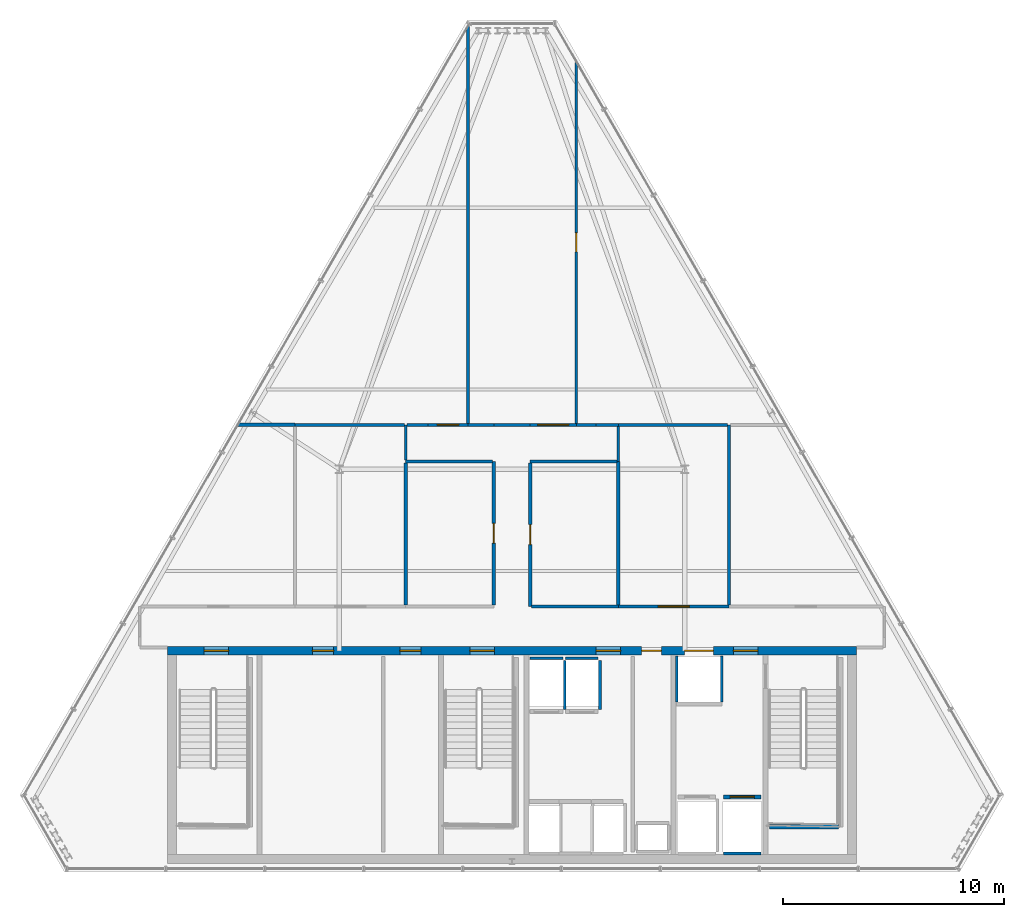
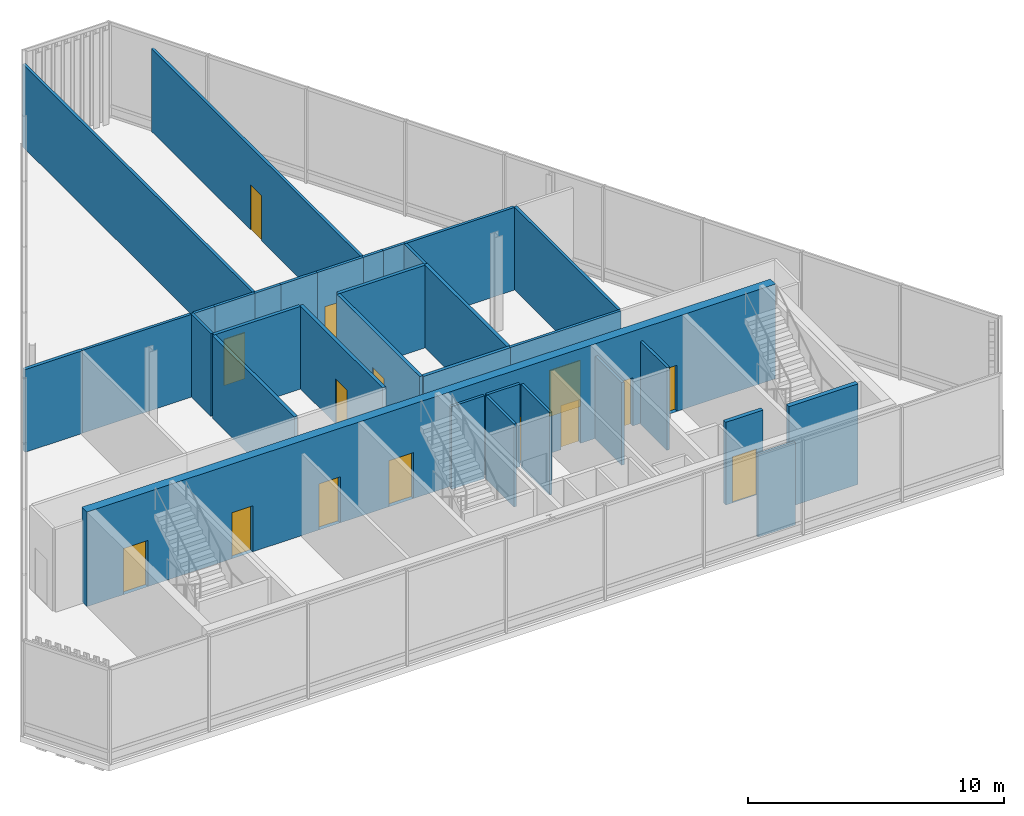
# One storey, part 21 of 25: 33 walls, 15 doors, 15 openings.
"""IFC4 building model written with IfcOpenShell, lengths in metres."""

from ifc_helpers import new_model, si_unit, direction, frame, frame_2d, origin, place, context, subcontext, project, spatial, rectangle, extrude, material, layer, layer_set, type_object, element, fill, save


model = new_model("IFC4")

# Units and contexts
model_context = context("Model", 3, precision=1e-05, world=origin(), true_north=direction((0.0, 1.0)))
body_context = subcontext(model_context, "Body", "Model", "MODEL_VIEW")
ifc_project = project(units=[si_unit("LENGTHUNIT", "METRE"), si_unit("AREAUNIT", "SQUARE_METRE"), si_unit("VOLUMEUNIT", "CUBIC_METRE"), si_unit("PLANEANGLEUNIT", "RADIAN"), si_unit("MASSUNIT", "GRAM", prefix="KILO")], contexts=[model_context])

# Site, building, storey
site_placement = place(None, origin())
site = spatial("IfcSite", under=ifc_project, at=site_placement, CompositionType="ELEMENT")
building_placement = place(site_placement, origin())
building = spatial("IfcBuilding", under=site, at=building_placement, Name="Ndaravel Arena Tower", CompositionType="ELEMENT")
storey_placement = place(building_placement, frame((0.0, 0.0, 298.5)))
storey = spatial("IfcBuildingStorey", under=building, at=storey_placement, Name="L73", CompositionType="ELEMENT", Elevation=298.5)

# Wall, openings, doors
ifc_material_1 = material(Name="Concrete C50/60", Category="concrete")
ifc_layer_1 = layer(ifc_material_1, 0.39990234375)
ifc_layer_set_1 = layer_set([ifc_layer_1], Name="Concrete C50/60")
wall_type_1 = type_object("IfcWallType", Name="WALL-CORE-400", PredefinedType="SOLIDWALL", material=ifc_layer_set_1)
wall_1_placement = place(storey_placement, frame((26.449951171875, 15.0, 0.0), z_axis=(0.0, 0.0, 1.0), x_axis=(1.0, 0.0, 0.0)))
wall_1 = element("IfcWall", 1, at=wall_1_placement, inside=storey, type_object=wall_type_1, Name="L73 Core North Shear Wall", PredefinedType="SOLIDWALL", context=body_context, shape_type="SweptSolid", body=[
    extrude(rectangle(XDim=31.10009765625, YDim=0.39990234375, at=frame_2d((15.550048828125, 0.0))), origin(), (0.0, 0.0, 1.0), 4.52001953125),
])
opening_1_placement = place(wall_1_placement, frame((1.64990234375, 0.0, 0.0)))
opening_1 = element("IfcOpeningElement", 2, at=opening_1_placement, cuts=wall_1, Name="Opening FD-01", PredefinedType="OPENING", context=body_context, shape_type="SweptSolid", body=[
    extrude(rectangle(XDim=1.10009765625, YDim=2.199951171875, at=frame_2d((0.550048828125, 1.10009765625))), frame((0.0, 0.199951171875, 0.0), z_axis=(0.0, -1.0, 0.0), x_axis=(1.0, 0.0, 0.0)), (0.0, 0.0, 1.0), 0.39990234375),
])
opening_2_placement = place(wall_1_placement, frame((13.64990234375, 0.0, 0.0)))
opening_2 = element("IfcOpeningElement", 3, at=opening_2_placement, cuts=wall_1, Name="Opening FD-01", PredefinedType="OPENING", context=body_context, shape_type="SweptSolid", body=[
    extrude(rectangle(XDim=1.10009765625, YDim=2.199951171875, at=frame_2d((0.550048828125, 1.10009765625))), frame((0.0, 0.199951171875, 0.0), z_axis=(0.0, -1.0, 0.0), x_axis=(1.0, 0.0, 0.0)), (0.0, 0.0, 1.0), 0.39990234375),
])
opening_3_placement = place(wall_1_placement, frame((25.550048828125, 0.0, 0.0)))
opening_3 = element("IfcOpeningElement", 4, at=opening_3_placement, cuts=wall_1, Name="Opening FD-01", PredefinedType="OPENING", context=body_context, shape_type="SweptSolid", body=[
    extrude(rectangle(XDim=1.10009765625, YDim=2.199951171875, at=frame_2d((0.550048828125, 1.10009765625))), frame((0.0, 0.199951171875, 0.0), z_axis=(0.0, -1.0, 0.0), x_axis=(1.0, 0.0, 0.0)), (0.0, 0.0, 1.0), 0.39990234375),
])
opening_4_placement = place(wall_1_placement, frame((19.35009765625, 0.0, 0.0)))
opening_4 = element("IfcOpeningElement", 5, at=opening_4_placement, cuts=wall_1, Name="Opening FD-01", PredefinedType="OPENING", context=body_context, shape_type="SweptSolid", body=[
    extrude(rectangle(XDim=1.10009765625, YDim=2.199951171875, at=frame_2d((0.550048828125, 1.10009765625))), frame((0.0, 0.199951171875, 0.0), z_axis=(0.0, -1.0, 0.0), x_axis=(1.0, 0.0, 0.0)), (0.0, 0.0, 1.0), 0.39990234375),
])
opening_5_placement = place(wall_1_placement, frame((21.39990234375, 0.0, 0.0)))
opening_5 = element("IfcOpeningElement", 6, at=opening_5_placement, cuts=wall_1, Name="Opening RD-01", PredefinedType="OPENING", context=body_context, shape_type="SweptSolid", body=[
    extrude(rectangle(XDim=0.89990234375, YDim=2.10009765625, at=frame_2d((0.449951171875, 1.050048828125))), frame((0.0, 0.199951171875, 0.0), z_axis=(0.0, -1.0, 0.0), x_axis=(1.0, 0.0, 0.0)), (0.0, 0.0, 1.0), 0.39990234375),
])
opening_6_placement = place(wall_1_placement, frame((6.5400390625, 0.0, 0.0)))
opening_6 = element("IfcOpeningElement", 7, at=opening_6_placement, cuts=wall_1, Name="Opening FD-03", PredefinedType="OPENING", context=body_context, shape_type="SweptSolid", body=[
    extrude(rectangle(XDim=0.949951171875, YDim=2.199951171875, at=frame_2d((0.47509765625, 1.10009765625))), frame((0.0, 0.199951171875, 0.0), z_axis=(0.0, -1.0, 0.0), x_axis=(1.0, 0.0, 0.0)), (0.0, 0.0, 1.0), 0.39990234375),
])
opening_7_placement = place(wall_1_placement, frame((10.489990234375, 0.0, 0.0)))
opening_7 = element("IfcOpeningElement", 8, at=opening_7_placement, cuts=wall_1, Name="Opening FD-03", PredefinedType="OPENING", context=body_context, shape_type="SweptSolid", body=[
    extrude(rectangle(XDim=0.949951171875, YDim=2.199951171875, at=frame_2d((0.47509765625, 1.10009765625))), frame((0.0, 0.199951171875, 0.0), z_axis=(0.0, -1.0, 0.0), x_axis=(1.0, 0.0, 0.0)), (0.0, 0.0, 1.0), 0.39990234375),
])
opening_8_placement = place(wall_1_placement, frame((23.35009765625, 0.0, 0.0)))
opening_8 = element("IfcOpeningElement", 9, at=opening_8_placement, cuts=wall_1, Name="Opening LD-02", PredefinedType="OPENING", context=body_context, shape_type="SweptSolid", body=[
    extrude(rectangle(XDim=1.300048828125, YDim=2.300048828125, at=frame_2d((0.64990234375, 1.14990234375))), frame((0.0, 0.199951171875, 0.0), z_axis=(0.0, -1.0, 0.0), x_axis=(1.0, 0.0, 0.0)), (0.0, 0.0, 1.0), 0.39990234375),
])
ifc_material_2 = material(Name="Steel S355", Category="steel")
door_type_1 = type_object("IfcDoorType", Name="DT-01-STAIR-1100", OperationType="SINGLE_SWING_LEFT", PredefinedType="DOOR", material=ifc_material_2)
door_1_placement = place(opening_1_placement, origin())
door_1 = element("IfcDoor", 10, at=door_1_placement, inside=storey, type_object=door_type_1, Name="L73 Exit Stair ST-1 Door", OperationType="SINGLE_SWING_RIGHT", OverallHeight=2.199951171875, OverallWidth=1.10009765625, PredefinedType="DOOR", context=body_context, shape_type="SweptSolid", body=[
    extrude(rectangle(XDim=1.10009765625, YDim=2.199951171875, at=frame_2d((0.550048828125, 1.10009765625))), frame((0.0, 0.02490234375, 0.0), z_axis=(0.0, -1.0, 0.0), x_axis=(1.0, 0.0, 0.0)), (0.0, 0.0, 1.0), 0.050048828125),
])
fill(opening_1, door_1)
door_2_placement = place(opening_2_placement, origin())
door_2 = element("IfcDoor", 11, at=door_2_placement, inside=storey, type_object=door_type_1, Name="L73 Exit Stair ST-2 Door", OperationType="SINGLE_SWING_LEFT", OverallHeight=2.199951171875, OverallWidth=1.10009765625, PredefinedType="DOOR", context=body_context, shape_type="SweptSolid", body=[
    extrude(rectangle(XDim=1.10009765625, YDim=2.199951171875, at=frame_2d((0.550048828125, 1.10009765625))), frame((0.0, 0.02490234375, 0.0), z_axis=(0.0, -1.0, 0.0), x_axis=(1.0, 0.0, 0.0)), (0.0, 0.0, 1.0), 0.050048828125),
])
fill(opening_2, door_2)
door_3_placement = place(opening_3_placement, origin())
door_3 = element("IfcDoor", 12, at=door_3_placement, inside=storey, type_object=door_type_1, Name="L73 Firefighting Lift Lobby Door", OperationType="SINGLE_SWING_RIGHT", OverallHeight=2.199951171875, OverallWidth=1.10009765625, PredefinedType="DOOR", context=body_context, shape_type="SweptSolid", body=[
    extrude(rectangle(XDim=1.10009765625, YDim=2.199951171875, at=frame_2d((0.550048828125, 1.10009765625))), frame((0.0, 0.02490234375, 0.0), z_axis=(0.0, -1.0, 0.0), x_axis=(1.0, 0.0, 0.0)), (0.0, 0.0, 1.0), 0.050048828125),
])
fill(opening_3, door_3)
door_4_placement = place(opening_4_placement, origin())
door_4 = element("IfcDoor", 13, at=door_4_placement, inside=storey, type_object=door_type_1, Name="L73 Express Lift Lobby Entry Door", OperationType="SINGLE_SWING_LEFT", OverallHeight=2.199951171875, OverallWidth=1.10009765625, PredefinedType="DOOR", context=body_context, shape_type="SweptSolid", body=[
    extrude(rectangle(XDim=1.10009765625, YDim=2.199951171875, at=frame_2d((0.550048828125, 1.10009765625))), frame((0.0, 0.02490234375, 0.0), z_axis=(0.0, -1.0, 0.0), x_axis=(1.0, 0.0, 0.0)), (0.0, 0.0, 1.0), 0.050048828125),
])
fill(opening_4, door_4)
ifc_material_3 = material(Name="Steel S355", Category="steel")
door_type_2 = type_object("IfcDoorType", Name="DT-07-SVLIFT-1300", OperationType="DOUBLE_DOOR_SLIDING", PredefinedType="DOOR", material=ifc_material_3)
door_5_placement = place(opening_8_placement, origin())
door_5 = element("IfcDoor", 14, at=door_5_placement, inside=storey, type_object=door_type_2, Name="L73 Lift SVL-1 Sliding Landing Door", OperationType="DOUBLE_DOOR_SLIDING", OverallHeight=2.300048828125, OverallWidth=1.300048828125, PredefinedType="DOOR", context=body_context, shape_type="SweptSolid", body=[
    extrude(rectangle(XDim=1.300048828125, YDim=2.300048828125, at=frame_2d((0.64990234375, 1.14990234375))), frame((0.0, 0.02490234375, 0.0), z_axis=(0.0, -1.0, 0.0), x_axis=(1.0, 0.0, 0.0)), (0.0, 0.0, 1.0), 0.050048828125),
])
fill(opening_8, door_5)
ifc_material_4 = material(Name="Steel S355", Category="steel")
door_type_3 = type_object("IfcDoorType", Name="DT-08-RISER-900", OperationType="SINGLE_SWING_LEFT", PredefinedType="DOOR", material=ifc_material_4)
door_6_placement = place(opening_5_placement, origin())
door_6 = element("IfcDoor", 15, at=door_6_placement, inside=storey, type_object=door_type_3, Name="L73 Core Service Riser North Door", OperationType="SINGLE_SWING_LEFT", OverallHeight=2.10009765625, OverallWidth=0.89990234375, PredefinedType="DOOR", context=body_context, shape_type="SweptSolid", body=[
    extrude(rectangle(XDim=0.89990234375, YDim=2.10009765625, at=frame_2d((0.449951171875, 1.050048828125))), frame((0.0, 0.02490234375, 0.0), z_axis=(0.0, -1.0, 0.0), x_axis=(1.0, 0.0, 0.0)), (0.0, 0.0, 1.0), 0.050048828125),
])
fill(opening_5, door_6)
ifc_material_5 = material(Name="Steel S355", Category="steel")
door_type_4 = type_object("IfcDoorType", Name="DT-11-CORE-950", OperationType="SINGLE_SWING_LEFT", PredefinedType="DOOR", material=ifc_material_5)
door_7_placement = place(opening_6_placement, origin())
door_7 = element("IfcDoor", 16, at=door_7_placement, inside=storey, type_object=door_type_4, Name="L73 High-Zone Reclaimed Core Room 1 Door", OperationType="SINGLE_SWING_LEFT", OverallHeight=2.199951171875, OverallWidth=0.949951171875, PredefinedType="DOOR", context=body_context, shape_type="SweptSolid", body=[
    extrude(rectangle(XDim=0.949951171875, YDim=2.199951171875, at=frame_2d((0.47509765625, 1.10009765625))), frame((0.0, 0.02490234375, 0.0), z_axis=(0.0, -1.0, 0.0), x_axis=(1.0, 0.0, 0.0)), (0.0, 0.0, 1.0), 0.050048828125),
])
fill(opening_6, door_7)
door_8_placement = place(opening_7_placement, origin())
door_8 = element("IfcDoor", 17, at=door_8_placement, inside=storey, type_object=door_type_4, Name="L73 High-Zone Reclaimed Core Room 2 Door", OperationType="SINGLE_SWING_RIGHT", OverallHeight=2.199951171875, OverallWidth=0.949951171875, PredefinedType="DOOR", context=body_context, shape_type="SweptSolid", body=[
    extrude(rectangle(XDim=0.949951171875, YDim=2.199951171875, at=frame_2d((0.47509765625, 1.10009765625))), frame((0.0, 0.02490234375, 0.0), z_axis=(0.0, -1.0, 0.0), x_axis=(1.0, 0.0, 0.0)), (0.0, 0.0, 1.0), 0.050048828125),
])
fill(opening_7, door_8)

# Walls
ifc_material_6 = material(Name="Gypsum", Category="gypsum")
ifc_layer_2 = layer(ifc_material_6, 0.125)
ifc_layer_set_2 = layer_set([ifc_layer_2], Name="Gypsum")
wall_type_2 = type_object("IfcWallType", Name="WALL-PART-125", PredefinedType="PARTITIONING", material=ifc_layer_set_2)
wall_2_placement = place(storey_placement, frame((37.199951171875, 23.614990234375, 0.0), z_axis=(0.0, 0.0, 1.0), x_axis=(0.0, 1.0, 0.0)))
element("IfcWall", 18, at=wall_2_placement, inside=storey, type_object=wall_type_2, Name="L73 Interior Partition 010", PredefinedType="PARTITIONING", context=body_context, shape_type="SweptSolid", body=[
    extrude(rectangle(XDim=1.5849609375, YDim=0.125, at=frame_2d((0.79248046875, 0.0))), origin(), (0.0, 0.0, 1.0), 3.950439453125),
])
wall_3_placement = place(storey_placement, frame((37.264892578125, 25.199951171875, 0.0), z_axis=(0.0, 0.0, 1.0), x_axis=(1.0, 0.0, 0.0)))
element("IfcWall", 19, at=wall_3_placement, inside=storey, type_object=wall_type_2, Name="L73 Interior Partition 011", PredefinedType="PARTITIONING", context=body_context, shape_type="SweptSolid", body=[
    extrude(rectangle(XDim=0.93505859375, YDim=0.125, at=frame_2d((0.467529296875, 0.0))), origin(), (0.0, 0.0, 1.0), 3.950439453125),
])

# Wall, opening, door
wall_4_placement = place(storey_placement, frame((38.199951171875, 25.199951171875, 0.0), z_axis=(0.0, 0.0, 1.0), x_axis=(1.0, 0.0, 0.0)))
wall_4 = element("IfcWall", 20, at=wall_4_placement, inside=storey, type_object=wall_type_2, Name="L73 Interior Partition 012", PredefinedType="PARTITIONING", context=body_context, shape_type="SweptSolid", body=[
    extrude(rectangle(XDim=1.818603515625, YDim=0.125, at=frame_2d((0.9091796875, 0.0))), origin(), (0.0, 0.0, 1.0), 3.950439453125),
])
opening_9_placement = place(wall_4_placement, frame((0.434326171875, 0.0, 0.0)))
opening_9 = element("IfcOpeningElement", 21, at=opening_9_placement, cuts=wall_4, Name="Opening ID-01", PredefinedType="OPENING", context=body_context, shape_type="SweptSolid", body=[
    extrude(rectangle(XDim=0.949951171875, YDim=2.199951171875, at=frame_2d((0.47509765625, 1.10009765625))), frame((0.0, 0.0625, 0.0), z_axis=(0.0, -1.0, 0.0), x_axis=(1.0, 0.0, 0.0)), (0.0, 0.0, 1.0), 0.125),
])
ifc_material_7 = material(Name="Timber", Category="wood")
door_type_5 = type_object("IfcDoorType", Name="DT-03-OFFICE-950", OperationType="SINGLE_SWING_LEFT", PredefinedType="DOOR", material=ifc_material_7)
door_9_placement = place(opening_9_placement, origin())
door_9 = element("IfcDoor", 22, at=door_9_placement, inside=storey, type_object=door_type_5, Name="L73 Visitor First Aid Clinic 3 Door", OperationType="SINGLE_SWING_LEFT", OverallHeight=2.199951171875, OverallWidth=0.949951171875, PredefinedType="DOOR", context=body_context, shape_type="SweptSolid", body=[
    extrude(rectangle(XDim=0.949951171875, YDim=2.199951171875, at=frame_2d((0.47509765625, 1.10009765625))), frame((0.0, 0.02490234375, 0.0), z_axis=(0.0, -1.0, 0.0), x_axis=(1.0, 0.0, 0.0)), (0.0, 0.0, 1.0), 0.050048828125),
])
fill(opening_9, door_9)

# Walls
wall_5_placement = place(storey_placement, frame((40.0185546875, 25.199951171875, 0.0), z_axis=(0.0, 0.0, 1.0), x_axis=(1.0, 0.0, 0.0)))
element("IfcWall", 23, at=wall_5_placement, inside=storey, type_object=wall_type_2, Name="L73 Interior Partition 013", PredefinedType="PARTITIONING", context=body_context, shape_type="SweptSolid", body=[
    extrude(rectangle(XDim=1.161376953125, YDim=0.125, at=frame_2d((0.58056640625, 0.0))), origin(), (0.0, 0.0, 1.0), 3.950439453125),
])
wall_6_placement = place(storey_placement, frame((41.179931640625, 25.199951171875, 0.0), z_axis=(0.0, 0.0, 1.0), x_axis=(1.0, 0.0, 0.0)))
element("IfcWall", 24, at=wall_6_placement, inside=storey, type_object=wall_type_2, Name="L73 Interior Partition 014", PredefinedType="PARTITIONING", context=body_context, shape_type="SweptSolid", body=[
    extrude(rectangle(XDim=1.64013671875, YDim=0.125, at=frame_2d((0.820068359375, 0.0))), origin(), (0.0, 0.0, 1.0), 3.950439453125),
])

# Wall, opening, door
wall_7_placement = place(storey_placement, frame((42.820068359375, 25.199951171875, 0.0), z_axis=(0.0, 0.0, 1.0), x_axis=(1.0, 0.0, 0.0)))
wall_7 = element("IfcWall", 25, at=wall_7_placement, inside=storey, type_object=wall_type_2, Name="L73 Interior Partition 015", PredefinedType="PARTITIONING", context=body_context, shape_type="SweptSolid", body=[
    extrude(rectangle(XDim=2.082763671875, YDim=0.125, at=frame_2d((1.04150390625, 0.0))), origin(), (0.0, 0.0, 1.0), 3.950439453125),
])
opening_10_placement = place(wall_7_placement, frame((0.341552734375, 0.0, 0.0)))
opening_10 = element("IfcOpeningElement", 26, at=opening_10_placement, cuts=wall_7, Name="Opening ID-02", PredefinedType="OPENING", context=body_context, shape_type="SweptSolid", body=[
    extrude(rectangle(XDim=1.39990234375, YDim=2.199951171875, at=frame_2d((0.699951171875, 1.10009765625))), frame((0.0, 0.0625, 0.0), z_axis=(0.0, -1.0, 0.0), x_axis=(1.0, 0.0, 0.0)), (0.0, 0.0, 1.0), 0.125),
])
ifc_material_8 = material(Name="Timber", Category="wood")
door_type_6 = type_object("IfcDoorType", Name="DT-04-SUITE-1400", OperationType="DOUBLE_DOOR_SINGLE_SWING", PredefinedType="DOOR", material=ifc_material_8)
door_10_placement = place(opening_10_placement, origin())
door_10 = element("IfcDoor", 27, at=door_10_placement, inside=storey, type_object=door_type_6, Name="L73 Public Sky Observation Gallery 4 Door", OperationType="SINGLE_SWING_RIGHT", OverallHeight=2.199951171875, OverallWidth=1.39990234375, PredefinedType="DOOR", context=body_context, shape_type="SweptSolid", body=[
    extrude(rectangle(XDim=1.39990234375, YDim=2.199951171875, at=frame_2d((0.699951171875, 1.10009765625))), frame((0.0, 0.02490234375, 0.0), z_axis=(0.0, -1.0, 0.0), x_axis=(1.0, 0.0, 0.0)), (0.0, 0.0, 1.0), 0.050048828125),
])
fill(opening_10, door_10)

# Walls
wall_8_placement = place(storey_placement, frame((44.90283203125, 25.199951171875, 0.0), z_axis=(0.0, 0.0, 1.0), x_axis=(1.0, 0.0, 0.0)))
element("IfcWall", 28, at=wall_8_placement, inside=storey, type_object=wall_type_2, Name="L73 Interior Partition 016", PredefinedType="PARTITIONING", context=body_context, shape_type="SweptSolid", body=[
    extrude(rectangle(XDim=0.897216796875, YDim=0.125, at=frame_2d((0.44873046875, 0.0))), origin(), (0.0, 0.0, 1.0), 3.950439453125),
])
wall_9_placement = place(storey_placement, frame((45.800048828125, 25.199951171875, 0.0), z_axis=(0.0, 0.0, 1.0), x_axis=(1.0, 0.0, 0.0)))
element("IfcWall", 29, at=wall_9_placement, inside=storey, type_object=wall_type_2, Name="L73 Interior Partition 017", PredefinedType="PARTITIONING", context=body_context, shape_type="SweptSolid", body=[
    extrude(rectangle(XDim=1.0, YDim=0.125, at=frame_2d((0.5, 0.0))), origin(), (0.0, 0.0, 1.0), 3.950439453125),
])
wall_10_placement = place(storey_placement, frame((46.800048828125, 25.135009765625, 0.0), z_axis=(0.0, 0.0, 1.0), x_axis=(0.0, -1.0, 0.0)))
element("IfcWall", 30, at=wall_10_placement, inside=storey, type_object=wall_type_2, Name="L73 Interior Partition 018", PredefinedType="PARTITIONING", context=body_context, shape_type="SweptSolid", body=[
    extrude(rectangle(XDim=1.5849609375, YDim=0.125, at=frame_2d((0.79248046875, 0.0))), origin(), (0.0, 0.0, 1.0), 3.950439453125),
])

# Wall, opening, door
wall_11_placement = place(storey_placement, frame((46.800048828125, 17.0, 0.0), z_axis=(0.0, 0.0, 1.0), x_axis=(1.0, 0.0, 0.0)))
wall_11 = element("IfcWall", 31, at=wall_11_placement, inside=storey, type_object=wall_type_2, Name="L73 Interior Partition 022", PredefinedType="PARTITIONING", context=body_context, shape_type="SweptSolid", body=[
    extrude(rectangle(XDim=5.0, YDim=0.125, at=frame_2d((2.5, 0.0))), origin(), (0.0, 0.0, 1.0), 3.950439453125),
])
opening_11_placement = place(wall_11_placement, frame((1.800048828125, 0.0, 0.0)))
opening_11 = element("IfcOpeningElement", 32, at=opening_11_placement, cuts=wall_11, Name="Opening ID-02", PredefinedType="OPENING", context=body_context, shape_type="SweptSolid", body=[
    extrude(rectangle(XDim=1.39990234375, YDim=2.199951171875, at=frame_2d((0.699951171875, 1.10009765625))), frame((0.0, 0.0625, 0.0), z_axis=(0.0, -1.0, 0.0), x_axis=(1.0, 0.0, 0.0)), (0.0, 0.0, 1.0), 0.125),
])
door_11_placement = place(opening_11_placement, origin())
door_11 = element("IfcDoor", 33, at=door_11_placement, inside=storey, type_object=door_type_6, Name="L73 Interactive Skyline Exhibition Gallery 3 Door", OperationType="SINGLE_SWING_LEFT", OverallHeight=2.199951171875, OverallWidth=1.39990234375, PredefinedType="DOOR", context=body_context, shape_type="SweptSolid", body=[
    extrude(rectangle(XDim=1.39990234375, YDim=2.199951171875, at=frame_2d((0.699951171875, 1.10009765625))), frame((0.0, 0.02490234375, 0.0), z_axis=(0.0, -1.0, 0.0), x_axis=(1.0, 0.0, 0.0)), (0.0, 0.0, 1.0), 0.050048828125),
])
fill(opening_11, door_11)

# Walls
wall_12_placement = place(storey_placement, frame((51.800048828125, 17.06494140625, 0.0), z_axis=(0.0, 0.0, 1.0), x_axis=(0.0, 1.0, 0.0)))
element("IfcWall", 34, at=wall_12_placement, inside=storey, type_object=wall_type_2, Name="L73 Interior Partition 028", PredefinedType="PARTITIONING", context=body_context, shape_type="SweptSolid", body=[
    extrude(rectangle(XDim=8.135009765625, YDim=0.125, at=frame_2d((4.0673828125, 0.0))), origin(), (0.0, 0.0, 1.0), 3.950439453125),
])
for number, where, z_axis, x_axis, name in (
    (35, (32.199951171875, 25.199951171875, 0.0), (0.0, 0.0, 1.0), (1.0, 0.0, 0.0), "L73 Interior Partition 030"),
    (36, (46.800048828125, 25.199951171875, 0.0), (0.0, 0.0, 1.0), (1.0, 0.0, 0.0), "L73 Interior Partition 031"),
):
    element("IfcWall", number, at=place(storey_placement, frame(where, z_axis=z_axis, x_axis=x_axis)), inside=storey, type_object=wall_type_2, Name=name, PredefinedType="PARTITIONING", context=body_context, shape_type="SweptSolid", body=[
        extrude(rectangle(XDim=4.93505859375, YDim=0.125, at=frame_2d((2.467529296875, 0.0))), origin(), (0.0, 0.0, 1.0), 3.950439453125),
    ])
wall_13_placement = place(storey_placement, frame((40.0185546875, 43.218505859375, 0.0), z_axis=(0.0, 0.0, 1.0), x_axis=(0.0, -1.0, 0.0)))
element("IfcWall", 37, at=wall_13_placement, inside=storey, type_object=wall_type_2, Name="L73 Interior Partition 033", PredefinedType="PARTITIONING", context=body_context, shape_type="SweptSolid", body=[
    extrude(rectangle(XDim=17.95361328125, YDim=0.125, at=frame_2d((8.976806640625, 0.0))), origin(), (0.0, 0.0, 1.0), 3.950439453125),
])
ifc_material_9 = material(Name="Concrete C40/50", Category="concrete")
ifc_layer_3 = layer(ifc_material_9, 0.1201171875)
ifc_layer_set_3 = layer_set([ifc_layer_3], Name="Concrete C40/50")
wall_type_3 = type_object("IfcWallType", Name="WALL-SHAFT-120", PredefinedType="SOLIDWALL", material=ifc_layer_set_3)
wall_14_placement = place(storey_placement, frame((42.804931640625, 14.659912109375, 0.0), z_axis=(0.0, 0.0, 1.0), x_axis=(1.0, 0.0, 0.0)))
element("IfcWall", 38, at=wall_14_placement, inside=storey, type_object=wall_type_3, Name="L73 PL-OBS1 Shaft Rear Wall", PredefinedType="SOLIDWALL", context=body_context, shape_type="SweptSolid", body=[
    extrude(rectangle(XDim=1.489990234375, YDim=0.1201171875, at=frame_2d((0.7451171875, 0.0))), origin(), (0.0, 0.0, 1.0), 3.950439453125),
])
wall_15_placement = place(storey_placement, frame((44.375, 12.340087890625, 0.0), z_axis=(0.0, 0.0, 1.0), x_axis=(0.0, 1.0, 0.0)))
element("IfcWall", 39, at=wall_15_placement, inside=storey, type_object=wall_type_3, Name="L73 PL-OBS1 Shaft Side R Wall", PredefinedType="SOLIDWALL", context=body_context, shape_type="SweptSolid", body=[
    extrude(rectangle(XDim=2.22998046875, YDim=0.1201171875, at=frame_2d((1.114990234375, 0.0))), origin(), (0.0, 0.0, 1.0), 3.950439453125),
])
wall_16_placement = place(storey_placement, frame((44.405029296875, 14.659912109375, 0.0), z_axis=(0.0, 0.0, 1.0), x_axis=(1.0, 0.0, 0.0)))
element("IfcWall", 40, at=wall_16_placement, inside=storey, type_object=wall_type_3, Name="L73 PL-OBS2 Shaft Rear Wall", PredefinedType="SOLIDWALL", context=body_context, shape_type="SweptSolid", body=[
    extrude(rectangle(XDim=1.489990234375, YDim=0.1201171875, at=frame_2d((0.7451171875, 0.0))), origin(), (0.0, 0.0, 1.0), 3.950439453125),
])
wall_17_placement = place(storey_placement, frame((45.97509765625, 12.340087890625, 0.0), z_axis=(0.0, 0.0, 1.0), x_axis=(0.0, 1.0, 0.0)))
element("IfcWall", 41, at=wall_17_placement, inside=storey, type_object=wall_type_3, Name="L73 PL-OBS2 Shaft Side R Wall", PredefinedType="SOLIDWALL", context=body_context, shape_type="SweptSolid", body=[
    extrude(rectangle(XDim=2.22998046875, YDim=0.1201171875, at=frame_2d((1.114990234375, 0.0))), origin(), (0.0, 0.0, 1.0), 3.950439453125),
])
wall_18_placement = place(storey_placement, frame((51.554931640625, 5.840087890625, 0.0), z_axis=(0.0, 0.0, 1.0), x_axis=(1.0, 0.0, 0.0)))
element("IfcWall", 42, at=wall_18_placement, inside=storey, type_object=wall_type_3, Name="L73 FFL-2 Shaft Rear Wall", PredefinedType="SOLIDWALL", context=body_context, shape_type="SweptSolid", body=[
    extrude(rectangle(XDim=1.690185546875, YDim=0.1201171875, at=frame_2d((0.84521484375, 0.0))), origin(), (0.0, 0.0, 1.0), 3.950439453125),
])
for number, where, z_axis, x_axis, name in (
    (43, (49.43994140625, 12.68994140625, 0.0), (0.0, 0.0, 1.0), (0.0, 1.0, 0.0), "L73 SVL-1 Shaft W Wall"),
    (44, (51.47998046875, 12.68994140625, 0.0), (0.0, 0.0, 1.0), (0.0, 1.0, 0.0), "L73 SVL-1 Shaft E Wall"),
):
    element("IfcWall", number, at=place(storey_placement, frame(where, z_axis=z_axis, x_axis=x_axis)), inside=storey, type_object=wall_type_3, Name=name, PredefinedType="SOLIDWALL", context=body_context, shape_type="SweptSolid", body=[
        extrude(rectangle(XDim=2.070068359375, YDim=0.1201171875, at=frame_2d((1.03515625, 0.0))), origin(), (0.0, 0.0, 1.0), 3.950439453125),
    ])
ifc_material_10 = material(Name="Concrete C40/50", Category="concrete")
ifc_layer_4 = layer(ifc_material_10, 0.199951171875)
ifc_layer_set_4 = layer_set([ifc_layer_4], Name="Concrete C40/50")
wall_type_4 = type_object("IfcWallType", Name="WALL-SHAFT-200", PredefinedType="SOLIDWALL", material=ifc_layer_set_4)
wall_19_placement = place(storey_placement, frame((53.6201171875, 7.050048828125, 0.0), z_axis=(0.0, 0.0, 1.0), x_axis=(1.0, 0.0, 0.0)))
element("IfcWall", 45, at=wall_19_placement, inside=storey, type_object=wall_type_4, Name="L73 ST-3 Structural Shaft Wall Far", PredefinedType="SOLIDWALL", context=body_context, shape_type="SweptSolid", body=[
    extrude(rectangle(XDim=3.114990234375, YDim=0.199951171875, at=frame_2d((1.5576171875, 0.0))), origin(), (0.0, 0.0, 1.0), 4.800048828125),
])

# Wall, opening, door
wall_20_placement = place(storey_placement, frame((51.554931640625, 8.39990234375, 0.0), z_axis=(0.0, 0.0, 1.0), x_axis=(1.0, 0.0, 0.0)))
wall_20 = element("IfcWall", 46, at=wall_20_placement, inside=storey, type_object=wall_type_4, Name="L73 FFL-2 Shaft Landing Wall", PredefinedType="SOLIDWALL", context=body_context, shape_type="SweptSolid", body=[
    extrude(rectangle(XDim=1.690185546875, YDim=0.179931640625, at=frame_2d((0.84521484375, 0.0))), origin(), (0.0, 0.0, 1.0), 3.950439453125),
])
opening_12_placement = place(wall_20_placement, frame((0.294921875, 0.0, 0.0)))
opening_12 = element("IfcOpeningElement", 47, at=opening_12_placement, cuts=wall_20, Name="Opening LD-01", PredefinedType="OPENING", context=body_context, shape_type="SweptSolid", body=[
    extrude(rectangle(XDim=1.10009765625, YDim=2.199951171875, at=frame_2d((0.550048828125, 1.10009765625))), frame((0.0, 0.08984375, 0.0), z_axis=(0.0, -1.0, 0.0), x_axis=(1.0, 0.0, 0.0)), (0.0, 0.0, 1.0), 0.179931640625),
])
ifc_material_11 = material(Name="Steel S355", Category="steel")
door_type_7 = type_object("IfcDoorType", Name="DT-06-LIFT-1100", OperationType="SLIDING_TO_LEFT", PredefinedType="DOOR", material=ifc_material_11)
door_12_placement = place(opening_12_placement, origin())
door_12 = element("IfcDoor", 48, at=door_12_placement, inside=storey, type_object=door_type_7, Name="L73 Lift FFL-2 Sliding Landing Door", OperationType="SLIDING_TO_LEFT", OverallHeight=2.199951171875, OverallWidth=1.10009765625, PredefinedType="DOOR", context=body_context, shape_type="SweptSolid", body=[
    extrude(rectangle(XDim=1.10009765625, YDim=2.199951171875, at=frame_2d((0.550048828125, 1.10009765625))), frame((0.0, 0.02490234375, 0.0), z_axis=(0.0, -1.0, 0.0), x_axis=(1.0, 0.0, 0.0)), (0.0, 0.0, 1.0), 0.050048828125),
])
fill(opening_12, door_12)

ifc_material_12 = material(Name="Masonry", Category="masonry")
ifc_layer_5 = layer(ifc_material_12, 0.14990234375)
ifc_layer_set_5 = layer_set([ifc_layer_5], Name="Masonry")
wall_type_5 = type_object("IfcWallType", Name="WALL-WET-150", PredefinedType="PARTITIONING", material=ifc_layer_set_5)
wall_21_placement = place(storey_placement, frame((41.179931640625, 17.06494140625, 0.0), z_axis=(0.0, 0.0, 1.0), x_axis=(0.0, 1.0, 0.0)))
wall_21 = element("IfcWall", 49, at=wall_21_placement, inside=storey, type_object=wall_type_5, Name="L73 Interior Partition 008", PredefinedType="PARTITIONING", context=body_context, shape_type="SweptSolid", body=[
    extrude(rectangle(XDim=6.485107421875, YDim=0.14990234375, at=frame_2d((3.24267578125, 0.0))), origin(), (0.0, 0.0, 1.0), 3.950439453125),
])
opening_13_placement = place(wall_21_placement, frame((2.79248046875, 0.0, 0.0)))
opening_13 = element("IfcOpeningElement", 50, at=opening_13_placement, cuts=wall_21, Name="Opening WD-01", PredefinedType="OPENING", context=body_context, shape_type="SweptSolid", body=[
    extrude(rectangle(XDim=0.89990234375, YDim=2.14990234375, at=frame_2d((0.449951171875, 1.074951171875))), frame((0.0, 0.074951171875, 0.0), z_axis=(0.0, -1.0, 0.0), x_axis=(1.0, 0.0, 0.0)), (0.0, 0.0, 1.0), 0.14990234375),
])
ifc_material_13 = material(Name="Timber", Category="wood")
door_type_8 = type_object("IfcDoorType", Name="DT-05-WC-900", OperationType="SINGLE_SWING_LEFT", PredefinedType="DOOR", material=ifc_material_13)
door_13_placement = place(opening_13_placement, origin())
door_13 = element("IfcDoor", 51, at=door_13_placement, inside=storey, type_object=door_type_8, Name="L73 Male Staff & Visitor Restroom Door", OperationType="SINGLE_SWING_RIGHT", OverallHeight=2.14990234375, OverallWidth=0.89990234375, PredefinedType="DOOR", context=body_context, shape_type="SweptSolid", body=[
    extrude(rectangle(XDim=0.89990234375, YDim=2.14990234375, at=frame_2d((0.449951171875, 1.074951171875))), frame((0.0, 0.02490234375, 0.0), z_axis=(0.0, -1.0, 0.0), x_axis=(1.0, 0.0, 0.0)), (0.0, 0.0, 1.0), 0.050048828125),
])
fill(opening_13, door_13)

# Walls
for number, where, z_axis, x_axis, name in (
    (52, (41.114990234375, 23.550048828125, 0.0), (0.0, 0.0, 1.0), (-1.0, 0.0, 0.0), "L73 Interior Partition 009"),
    (53, (46.735107421875, 23.550048828125, 0.0), (0.0, 0.0, 1.0), (-1.0, 0.0, 0.0), "L73 Interior Partition 019"),
):
    element("IfcWall", number, at=place(storey_placement, frame(where, z_axis=z_axis, x_axis=x_axis)), inside=storey, type_object=wall_type_5, Name=name, PredefinedType="PARTITIONING", context=body_context, shape_type="SweptSolid", body=[
        extrude(rectangle(XDim=3.9150390625, YDim=0.14990234375, at=frame_2d((1.95751953125, 0.0))), origin(), (0.0, 0.0, 1.0), 3.950439453125),
    ])

# Wall, opening, door
wall_22_placement = place(storey_placement, frame((42.820068359375, 23.485107421875, 0.0), z_axis=(0.0, 0.0, 1.0), x_axis=(0.0, -1.0, 0.0)))
wall_22 = element("IfcWall", 54, at=wall_22_placement, inside=storey, type_object=wall_type_5, Name="L73 Interior Partition 020", PredefinedType="PARTITIONING", context=body_context, shape_type="SweptSolid", body=[
    extrude(rectangle(XDim=6.485107421875, YDim=0.14990234375, at=frame_2d((3.24267578125, 0.0))), origin(), (0.0, 0.0, 1.0), 3.950439453125),
])
opening_14_placement = place(wall_22_placement, frame((2.79248046875, 0.0, 0.0)))
opening_14 = element("IfcOpeningElement", 55, at=opening_14_placement, cuts=wall_22, Name="Opening WD-01", PredefinedType="OPENING", context=body_context, shape_type="SweptSolid", body=[
    extrude(rectangle(XDim=0.89990234375, YDim=2.14990234375, at=frame_2d((0.449951171875, 1.074951171875))), frame((0.0, 0.074951171875, 0.0), z_axis=(0.0, -1.0, 0.0), x_axis=(1.0, 0.0, 0.0)), (0.0, 0.0, 1.0), 0.14990234375),
])
door_14_placement = place(opening_14_placement, origin())
door_14 = element("IfcDoor", 56, at=door_14_placement, inside=storey, type_object=door_type_8, Name="L73 Female & Accessible Restroom Door", OperationType="SINGLE_SWING_LEFT", OverallHeight=2.14990234375, OverallWidth=0.89990234375, PredefinedType="DOOR", context=body_context, shape_type="SweptSolid", body=[
    extrude(rectangle(XDim=0.89990234375, YDim=2.14990234375, at=frame_2d((0.449951171875, 1.074951171875))), frame((0.0, 0.02490234375, 0.0), z_axis=(0.0, -1.0, 0.0), x_axis=(1.0, 0.0, 0.0)), (0.0, 0.0, 1.0), 0.050048828125),
])
fill(opening_14, door_14)

# Walls
wall_23_placement = place(storey_placement, frame((42.885009765625, 17.0, 0.0), z_axis=(0.0, 0.0, 1.0), x_axis=(1.0, 0.0, 0.0)))
element("IfcWall", 57, at=wall_23_placement, inside=storey, type_object=wall_type_5, Name="L73 Interior Partition 021", PredefinedType="PARTITIONING", context=body_context, shape_type="SweptSolid", body=[
    extrude(rectangle(XDim=3.9150390625, YDim=0.14990234375, at=frame_2d((1.95751953125, 0.0))), origin(), (0.0, 0.0, 1.0), 3.950439453125),
])
wall_24_placement = place(storey_placement, frame((37.199951171875, 17.06494140625, 0.0), z_axis=(0.0, 0.0, 1.0), x_axis=(0.0, 1.0, 0.0)))
element("IfcWall", 58, at=wall_24_placement, inside=storey, type_object=wall_type_5, Name="L73 Interior Partition 024", PredefinedType="PARTITIONING", context=body_context, shape_type="SweptSolid", body=[
    extrude(rectangle(XDim=6.420166015625, YDim=0.14990234375, at=frame_2d((3.2099609375, 0.0))), origin(), (0.0, 0.0, 1.0), 3.950439453125),
])
wall_25_placement = place(storey_placement, frame((46.800048828125, 23.550048828125, 0.0), z_axis=(0.0, 0.0, 1.0), x_axis=(0.0, -1.0, 0.0)))
element("IfcWall", 59, at=wall_25_placement, inside=storey, type_object=wall_type_5, Name="L73 Interior Partition 025", PredefinedType="PARTITIONING", context=body_context, shape_type="SweptSolid", body=[
    extrude(rectangle(XDim=6.485107421875, YDim=0.14990234375, at=frame_2d((3.24267578125, 0.0))), origin(), (0.0, 0.0, 1.0), 3.950439453125),
])
wall_26_placement = place(storey_placement, frame((29.615478515625, 25.199951171875, 0.0), z_axis=(0.0, 0.0, 1.0), x_axis=(1.0, 0.0, 0.0)))
element("IfcWall", 60, at=wall_26_placement, inside=storey, type_object=wall_type_5, Name="L73 Interior Partition 026", PredefinedType="PARTITIONING", context=body_context, shape_type="SweptSolid", body=[
    extrude(rectangle(XDim=2.58447265625, YDim=0.14990234375, at=frame_2d((1.292236328125, 0.0))), origin(), (0.0, 0.0, 1.0), 3.950439453125),
])

# Wall, opening, door
wall_27_placement = place(storey_placement, frame((44.90283203125, 25.264892578125, 0.0), z_axis=(0.0, 0.0, 1.0), x_axis=(0.0, 1.0, 0.0)))
wall_27 = element("IfcWall", 61, at=wall_27_placement, inside=storey, type_object=wall_type_5, Name="L73 Interior Partition 032", PredefinedType="PARTITIONING", context=body_context, shape_type="SweptSolid", body=[
    extrude(rectangle(XDim=16.357666015625, YDim=0.125, at=frame_2d((8.1787109375, 0.0))), origin(), (0.0, 0.0, 1.0), 3.950439453125),
])
opening_15_placement = place(wall_27_placement, frame((7.75390625, 0.0, 0.0)))
opening_15 = element("IfcOpeningElement", 62, at=opening_15_placement, cuts=wall_27, Name="Opening ID-03", PredefinedType="OPENING", context=body_context, shape_type="SweptSolid", body=[
    extrude(rectangle(XDim=0.85009765625, YDim=2.14990234375, at=frame_2d((0.425048828125, 1.074951171875))), frame((0.0, 0.0625, 0.0), z_axis=(0.0, -1.0, 0.0), x_axis=(1.0, 0.0, 0.0)), (0.0, 0.0, 1.0), 0.125),
])
ifc_material_14 = material(Name="Timber", Category="wood")
door_type_9 = type_object("IfcDoorType", Name="DT-12-SUB-850", OperationType="SINGLE_SWING_LEFT", PredefinedType="DOOR", material=ifc_material_14)
door_15_placement = place(opening_15_placement, origin())
door_15 = element("IfcDoor", 63, at=door_15_placement, inside=storey, type_object=door_type_9, Name="L73 Wellness Consult Room 2 Door", OperationType="SINGLE_SWING_LEFT", OverallHeight=2.14990234375, OverallWidth=0.85009765625, PredefinedType="DOOR", context=body_context, shape_type="SweptSolid", body=[
    extrude(rectangle(XDim=0.85009765625, YDim=2.14990234375, at=frame_2d((0.425048828125, 1.074951171875))), frame((0.0, 0.02490234375, 0.0), z_axis=(0.0, -1.0, 0.0), x_axis=(1.0, 0.0, 0.0)), (0.0, 0.0, 1.0), 0.050048828125),
])
fill(opening_15, door_15)

save(model, "model.ifc")
